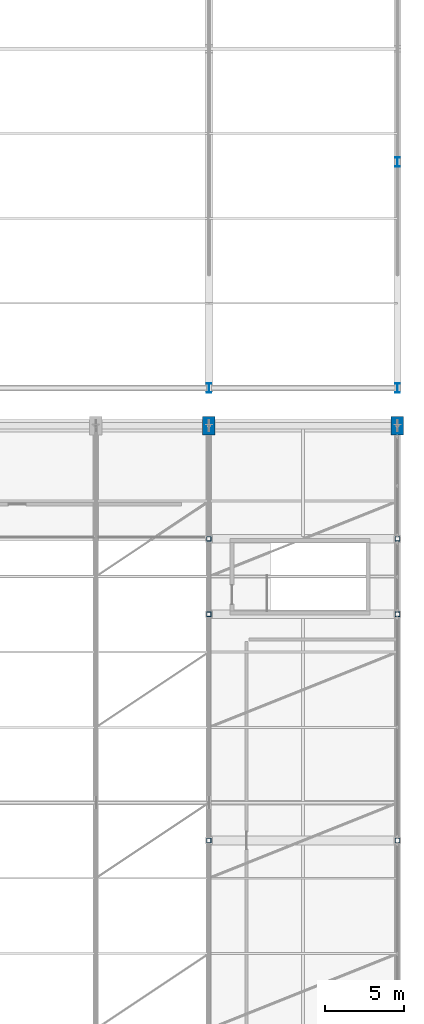
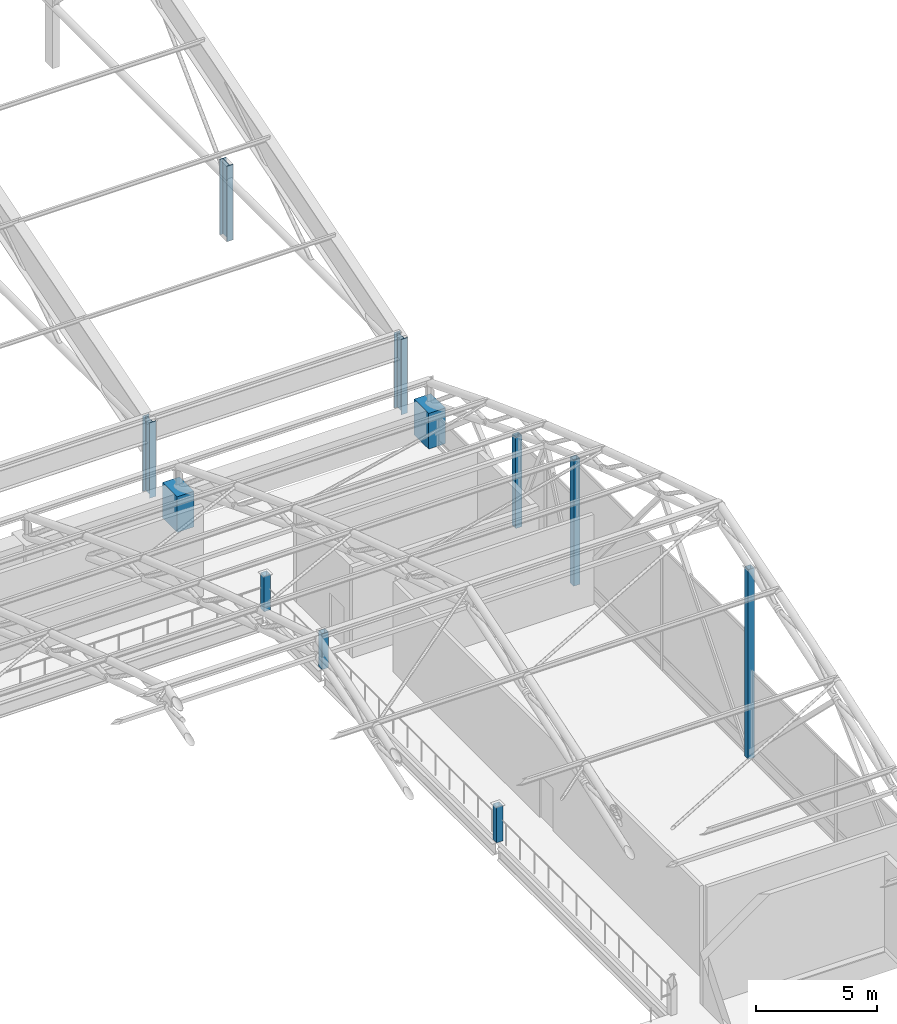
# One storey, part 10 of 116: 11 columns.
"""IFC4 building model written with IfcOpenShell, lengths in metres."""

from ifc_helpers import new_model, si_unit, direction, frame, origin, origin_2d, place, context, subcontext, project, spatial, rectangle, hollow_rectangle, i_section, extrude, material, material_profile, profile_set, type_object, element, save


model = new_model("IFC4")

# Units and contexts
model_context = context("Model", 3, precision=1e-05, world=origin(), true_north=direction((0.0, 1.0)))
body_context = subcontext(model_context, "Body", "Model", "MODEL_VIEW")
ifc_project = project(units=[si_unit("LENGTHUNIT", "METRE"), si_unit("AREAUNIT", "SQUARE_METRE"), si_unit("VOLUMEUNIT", "CUBIC_METRE"), si_unit("PLANEANGLEUNIT", "RADIAN"), si_unit("MASSUNIT", "GRAM", prefix="KILO")], contexts=[model_context])

# Site, building, storey
site_placement = place(None, origin())
site = spatial("IfcSite", under=ifc_project, at=site_placement, CompositionType="ELEMENT")
building_placement = place(site_placement, origin())
building = spatial("IfcBuilding", under=site, at=building_placement, Name="Cendralis Lancet Convention Centre", CompositionType="ELEMENT")
storey_placement = place(building_placement, frame((0.0, 0.0, 15.0)))
storey = spatial("IfcBuildingStorey", under=building, at=storey_placement, Name="L03", CompositionType="ELEMENT", Elevation=15.0)

# Columns
ifc_material_1 = material(Name="Concrete G40 (C40/50)", Category="concrete")
ifc_material_profile_1 = material_profile(ifc_material_1, rectangle(XDim=0.800048828125, YDim=1.199951171875, at=origin_2d()), Name="RC 800x1200")
ifc_profile_set_1 = profile_set([ifc_material_profile_1], Name="Concrete G40 (C40/50)")
column_type_1 = type_object("IfcColumnType", Name="STR-COL-C15", PredefinedType="COLUMN", material=ifc_profile_set_1)
for number, where, z_axis, x_axis, name in (
    (1, (196.800048828125, 91.199951171875, 0.0), (0.0, 0.0, 1.0), (1.0, 0.0, 0.0), "L03 Column C15 at 196.8,91.2"),
    (2, (208.800048828125, 91.199951171875, 0.0), (0.0, 0.0, 1.0), (1.0, 0.0, 0.0), "L03 Column C15 at 208.8,91.2"),
):
    element("IfcColumn", number, at=place(storey_placement, frame(where, z_axis=z_axis, x_axis=x_axis)), inside=storey, type_object=column_type_1, Name=name, PredefinedType="COLUMN", context=body_context, shape_type="SweptSolid", body=[
        extrude(rectangle(XDim=0.800048828125, YDim=1.199951171875, at=origin_2d()), origin(), (0.0, 0.0, 1.0), 1.800048828125),
    ])
ifc_material_2 = material(Name="Steel S355", Category="steel")
ifc_material_profile_2 = material_profile(ifc_material_2, i_section(OverallWidth=0.300048828125, OverallDepth=0.60009765625, WebThickness=0.015380859375, FlangeThickness=0.030029296875, FilletRadius=0.027099609375, at=origin_2d()), Name="HEB 600")
ifc_profile_set_2 = profile_set([ifc_material_profile_2], Name="Steel S355")
column_type_2 = type_object("IfcColumnType", Name="STR-COL-C21", PredefinedType="COLUMN", material=ifc_profile_set_2)
for number, where, z_axis, x_axis, name in (
    (3, (196.800048828125, 93.60009765625, 0.0), (0.0, 0.0, 1.0), (1.0, 0.0, 0.0), "L03 Column C21 at 196.8,93.6"),
    (4, (208.800048828125, 93.60009765625, 0.0), (0.0, 0.0, 1.0), (1.0, 0.0, 0.0), "L03 Column C21 at 208.8,93.6"),
    (5, (208.800048828125, 108.0, 0.0), (0.0, 0.0, 1.0), (1.0, 0.0, 0.0), "L03 Column C21 at 208.8,108.0"),
):
    element("IfcColumn", number, at=place(storey_placement, frame(where, z_axis=z_axis, x_axis=x_axis)), inside=storey, type_object=column_type_2, Name=name, PredefinedType="COLUMN", context=body_context, shape_type="SweptSolid", body=[
        extrude(i_section(OverallWidth=0.300048828125, OverallDepth=0.60009765625, WebThickness=0.015380859375, FlangeThickness=0.030029296875, FilletRadius=0.027099609375, at=origin_2d()), origin(), (0.0, 0.0, 1.0), 3.800048828125),
    ])
ifc_material_profile_3 = material_profile(ifc_material_2, hollow_rectangle(XDim=0.300048828125, YDim=0.300048828125, WallThickness=0.01611328125, at=origin_2d()), Name="SHS 300x300x16.0")
ifc_profile_set_3 = profile_set([ifc_material_profile_3], Name="Steel S355")
column_type_3 = type_object("IfcColumnType", Name="STR-COL-C30", PredefinedType="COLUMN", material=ifc_profile_set_3)
column_1_placement = place(storey_placement, frame((208.800048828125, 64.800048828125, 0.0), z_axis=(0.0, 0.0, 1.0), x_axis=(1.0, 0.0, 0.0)))
element("IfcColumn", 6, at=column_1_placement, inside=storey, type_object=column_type_3, Name="L03 Column C30 at 208.8,64.8", PredefinedType="COLUMN", context=body_context, shape_type="SweptSolid", body=[
    extrude(hollow_rectangle(XDim=0.300048828125, YDim=0.300048828125, WallThickness=0.01611328125, at=origin_2d()), origin(), (0.0, 0.0, 1.0), 9.55908203125),
])
column_2_placement = place(storey_placement, frame((208.800048828125, 79.199951171875, 0.0), z_axis=(0.0, 0.0, 1.0), x_axis=(1.0, 0.0, 0.0)))
element("IfcColumn", 7, at=column_2_placement, inside=storey, type_object=column_type_3, Name="L03 Column C30 at 208.8,79.2", PredefinedType="COLUMN", context=body_context, shape_type="SweptSolid", body=[
    extrude(hollow_rectangle(XDim=0.300048828125, YDim=0.300048828125, WallThickness=0.01611328125, at=origin_2d()), origin(), (0.0, 0.0, 1.0), 6.35498046875),
])
column_3_placement = place(storey_placement, frame((208.800048828125, 84.0, 0.0), z_axis=(0.0, 0.0, 1.0), x_axis=(1.0, 0.0, 0.0)))
element("IfcColumn", 8, at=column_3_placement, inside=storey, type_object=column_type_3, Name="L03 Column C30 at 208.8,84.0", PredefinedType="COLUMN", context=body_context, shape_type="SweptSolid", body=[
    extrude(hollow_rectangle(XDim=0.300048828125, YDim=0.300048828125, WallThickness=0.01611328125, at=origin_2d()), origin(), (0.0, 0.0, 1.0), 4.596923828125),
])
ifc_material_profile_4 = material_profile(ifc_material_2, hollow_rectangle(XDim=0.300048828125, YDim=0.300048828125, WallThickness=0.01611328125, at=origin_2d()), Name="SHS 300x300x16.0")
ifc_profile_set_4 = profile_set([ifc_material_profile_4], Name="Steel S355")
column_type_4 = type_object("IfcColumnType", Name="STR-COL-C30-INT", PredefinedType="COLUMN", material=ifc_profile_set_4)
for number, where, z_axis, x_axis, name in (
    (9, (196.800048828125, 64.800048828125, 0.0), (0.0, 0.0, 1.0), (1.0, 0.0, 0.0), "L03 Column C30 at 196.8,64.8"),
    (10, (196.800048828125, 79.199951171875, 0.0), (0.0, 0.0, 1.0), (1.0, 0.0, 0.0), "L03 Column C30 at 196.8,79.2"),
    (11, (196.800048828125, 84.0, 0.0), (0.0, 0.0, 1.0), (1.0, 0.0, 0.0), "L03 Column C30 at 196.8,84.0"),
):
    element("IfcColumn", number, at=place(storey_placement, frame(where, z_axis=z_axis, x_axis=x_axis)), inside=storey, type_object=column_type_4, Name=name, PredefinedType="COLUMN", context=body_context, shape_type="SweptSolid", body=[
        extrude(hollow_rectangle(XDim=0.300048828125, YDim=0.300048828125, WallThickness=0.01611328125, at=origin_2d()), origin(), (0.0, 0.0, 1.0), 1.800048828125),
    ])

save(model, "model.ifc")
